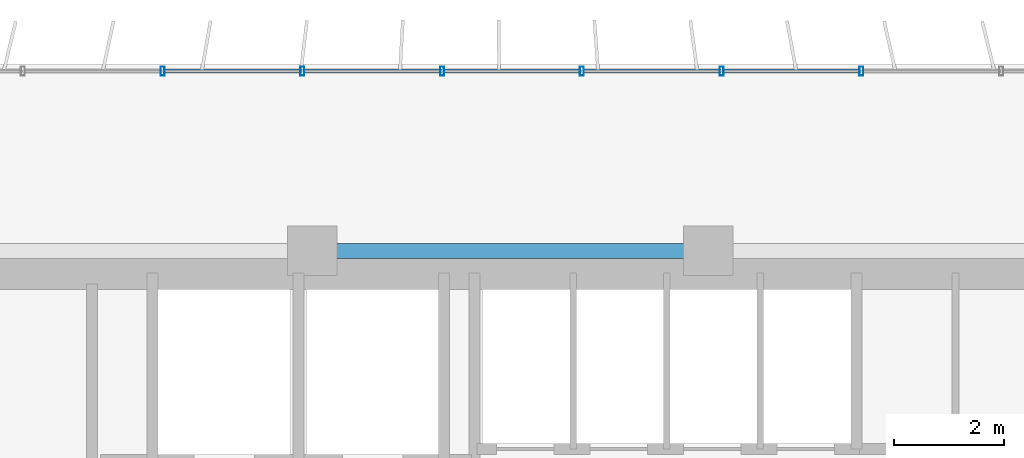
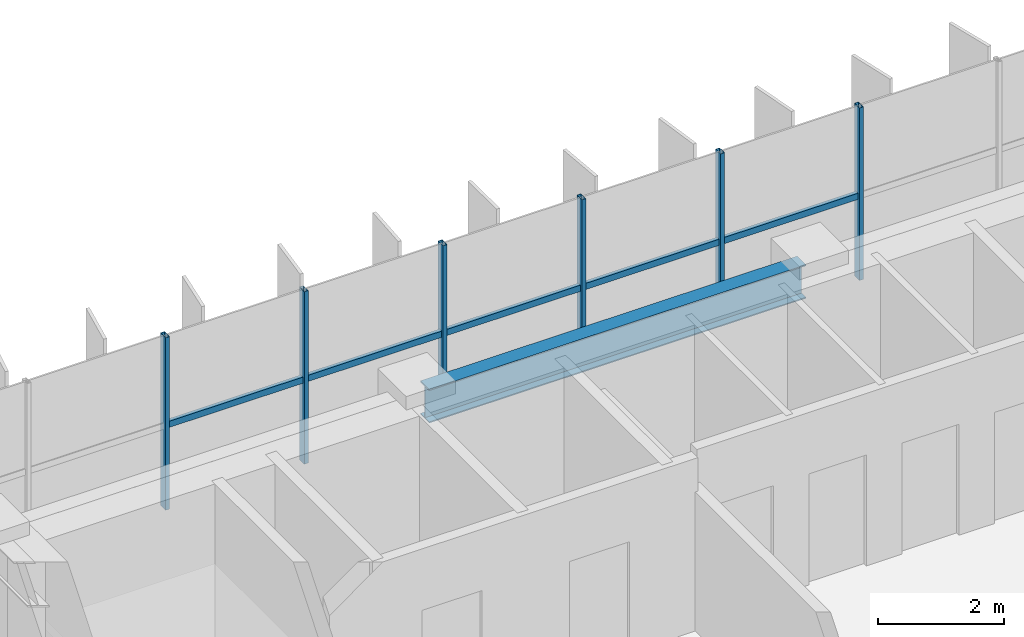
# One storey, part 7 of 22: 11 members, 1 beam, 1 element without a shape of its own.
"""IFC4 building model written with IfcOpenShell, lengths in metres."""

from ifc_helpers import new_model, si_unit, direction, frame, origin, origin_2d, place, context, subcontext, project, spatial, hollow_rectangle, i_section, extrude, source, transform, mapped, material, material_profile, profile_set, type_object, element, aggregate, save


model = new_model("IFC4")

# Units and contexts
model_context = context("Model", 3, precision=1e-05, world=origin(), true_north=direction((0.0, 1.0)))
body_context = subcontext(model_context, "Body", "Model", "MODEL_VIEW")
ifc_project = project(units=[si_unit("LENGTHUNIT", "METRE"), si_unit("AREAUNIT", "SQUARE_METRE"), si_unit("VOLUMEUNIT", "CUBIC_METRE"), si_unit("PLANEANGLEUNIT", "RADIAN"), si_unit("MASSUNIT", "GRAM", prefix="KILO")], contexts=[model_context])

# Site, building, storey
site_placement = place(None, origin())
site = spatial("IfcSite", under=ifc_project, at=site_placement, CompositionType="ELEMENT")
building_placement = place(site_placement, origin())
building = spatial("IfcBuilding", under=site, at=building_placement, Name="Trelvane Seafront Commons", CompositionType="ELEMENT")
storey_placement = place(building_placement, frame((0.0, 0.0, 48.699951171875)))
storey = spatial("IfcBuildingStorey", under=building, at=storey_placement, Name="L12", CompositionType="ELEMENT", Elevation=48.699951171875)

# Beam
ifc_material_1 = material(Name="Steel SM355 (S355)", Category="steel")
ifc_material_profile_1 = material_profile(ifc_material_1, i_section(OverallWidth=0.280029296875, OverallDepth=0.64990234375, WebThickness=0.012939453125, FlangeThickness=0.02197265625, at=origin_2d()), Name="H-650x280x13x22")
ifc_profile_set_1 = profile_set([ifc_material_profile_1], Name="Steel SM355 (S355)")
beam_type = type_object("IfcBeamType", Name="STR-BM-H650", PredefinedType="BEAM", material=ifc_profile_set_1)
shared_shape_1 = source(origin(), body_context, "Body", "SweptSolid", [
    extrude(i_section(OverallWidth=0.280029296875, OverallDepth=0.64990234375, WebThickness=0.012939453125, FlangeThickness=0.02197265625, at=origin_2d()), origin(), (0.0, 0.0, 1.0), 6.89990234375),
])
beam_placement = place(storey_placement, frame((23.550048828125, 45.10009765625, 3.01513671875), z_axis=(1.0, 0.0, 0.0), x_axis=(0.0, 1.0, 0.0)))
element("IfcBeam", 1, at=beam_placement, inside=storey, type_object=beam_type, Name="L12 Primary Girder G-31", PredefinedType="BEAM", context=body_context, shape_type="MappedRepresentation", body=[
    mapped(shared_shape_1, transform((0.0, 0.0, 0.0), x_axis=(1.0, 0.0, 0.0), y_axis=(0.0, 1.0, 0.0), z_axis=(0.0, 0.0, 1.0), scale=1.0)),
])

# Curtain wall, members
ifc_material_2 = material(Name="Anodised pale-silver aluminium", Category="aluminium")
curtain_wall_type = type_object("IfcCurtainWallType", Name="ARCH-CW2-LOWTOWER", PredefinedType="NOTDEFINED", material=ifc_material_2)
curtain_wall_placement = place(storey_placement, origin())
curtain_wall = element("IfcCurtainWall", 2, at=curtain_wall_placement, inside=storey, type_object=curtain_wall_type, Name="CW-L12-0036", PredefinedType="NOTDEFINED")
ifc_material_profile_2 = material_profile(ifc_material_2, hollow_rectangle(XDim=0.074951171875, YDim=0.159912109375, WallThickness=0.00390625, at=origin_2d()), Name="MULL-75x160x4")
ifc_profile_set_2 = profile_set([ifc_material_profile_2], Name="Anodised pale-silver aluminium")
member_type_1 = type_object("IfcMemberType", Name="ARCH-CW-MULL-160", PredefinedType="MULLION", material=ifc_profile_set_2)
shared_shape_2 = source(origin(), body_context, "Body", "SweptSolid", [
    extrude(hollow_rectangle(XDim=0.074951171875, YDim=0.159912109375, WallThickness=0.00390625, at=origin_2d()), origin(), (0.0, 0.0, 1.0), 3.340087890625),
])
member_1_placement = place(storey_placement, frame((20.682373046875, 48.3701171875, 0.0), z_axis=(0.0, 0.0, 1.0), x_axis=(1.0, 0.0, 0.0)))
member_1 = element("IfcMember", 3, at=member_1_placement, type_object=member_type_1, Name="CW-L12-0036-M02", PredefinedType="MULLION", context=body_context, shape_type="MappedRepresentation", body=[
    mapped(shared_shape_2, transform((0.0, 0.0, 0.0), x_axis=(1.0, 0.0, 0.0), y_axis=(0.0, 1.0, 0.0), z_axis=(0.0, 0.0, 1.0), scale=1.0)),
])
member_2_placement = place(storey_placement, frame((23.223388671875, 48.3701171875, 0.0), z_axis=(0.0, 0.0, 1.0), x_axis=(1.0, 0.0, 0.0)))
member_2 = element("IfcMember", 4, at=member_2_placement, type_object=member_type_1, Name="CW-L12-0036-M03", PredefinedType="MULLION", context=body_context, shape_type="MappedRepresentation", body=[
    mapped(shared_shape_2, transform((0.0, 0.0, 0.0), x_axis=(1.0, 0.0, 0.0), y_axis=(0.0, 1.0, 0.0), z_axis=(0.0, 0.0, 1.0), scale=1.0)),
])
member_3_placement = place(storey_placement, frame((25.7646484375, 48.3701171875, 0.0), z_axis=(0.0, 0.0, 1.0), x_axis=(1.0, 0.0, 0.0)))
member_3 = element("IfcMember", 5, at=member_3_placement, type_object=member_type_1, Name="CW-L12-0036-M04", PredefinedType="MULLION", context=body_context, shape_type="MappedRepresentation", body=[
    mapped(shared_shape_2, transform((0.0, 0.0, 0.0), x_axis=(1.0, 0.0, 0.0), y_axis=(0.0, 1.0, 0.0), z_axis=(0.0, 0.0, 1.0), scale=1.0)),
])
member_4_placement = place(storey_placement, frame((28.305908203125, 48.3701171875, 0.0), z_axis=(0.0, 0.0, 1.0), x_axis=(1.0, 0.0, 0.0)))
member_4 = element("IfcMember", 6, at=member_4_placement, type_object=member_type_1, Name="CW-L12-0036-M05", PredefinedType="MULLION", context=body_context, shape_type="MappedRepresentation", body=[
    mapped(shared_shape_2, transform((0.0, 0.0, 0.0), x_axis=(1.0, 0.0, 0.0), y_axis=(0.0, 1.0, 0.0), z_axis=(0.0, 0.0, 1.0), scale=1.0)),
])
member_5_placement = place(storey_placement, frame((30.84716796875, 48.3701171875, 0.0), z_axis=(0.0, 0.0, 1.0), x_axis=(1.0, 0.0, 0.0)))
member_5 = element("IfcMember", 7, at=member_5_placement, type_object=member_type_1, Name="CW-L12-0036-M06", PredefinedType="MULLION", context=body_context, shape_type="MappedRepresentation", body=[
    mapped(shared_shape_2, transform((0.0, 0.0, 0.0), x_axis=(1.0, 0.0, 0.0), y_axis=(0.0, 1.0, 0.0), z_axis=(0.0, 0.0, 1.0), scale=1.0)),
])
member_6_placement = place(storey_placement, frame((33.38818359375, 48.3701171875, 0.0), z_axis=(0.0, 0.0, 1.0), x_axis=(1.0, 0.0, 0.0)))
member_6 = element("IfcMember", 8, at=member_6_placement, type_object=member_type_1, Name="CW-L12-0036-M07", PredefinedType="MULLION", context=body_context, shape_type="MappedRepresentation", body=[
    mapped(shared_shape_2, transform((0.0, 0.0, 0.0), x_axis=(1.0, 0.0, 0.0), y_axis=(0.0, 1.0, 0.0), z_axis=(0.0, 0.0, 1.0), scale=1.0)),
])
ifc_material_profile_3 = material_profile(ifc_material_2, hollow_rectangle(XDim=0.070068359375, YDim=0.1201171875, WallThickness=0.00390625, at=origin_2d()), Name="TRAN-70x120x4")
ifc_profile_set_3 = profile_set([ifc_material_profile_3], Name="Anodised pale-silver aluminium")
member_type_2 = type_object("IfcMemberType", Name="ARCH-CW-TRAN-120", PredefinedType="USERDEFINED", material=ifc_profile_set_3)
shared_shape_3 = source(origin(), body_context, "Body", "SweptSolid", [
    extrude(hollow_rectangle(XDim=0.070068359375, YDim=0.1201171875, WallThickness=0.00390625, at=origin_2d()), origin(), (0.0, 0.0, 1.0), 2.51708984375),
])
member_7_placement = place(storey_placement, frame((20.6943359375, 48.3701171875, 1.60302734375), z_axis=(1.0, 0.0, 0.0), x_axis=(0.0, 1.0, 0.0)))
member_7 = element("IfcMember", 9, at=member_7_placement, type_object=member_type_2, Name="CW-L12-0036-T02", ObjectType="TRANSOM", PredefinedType="USERDEFINED", context=body_context, shape_type="MappedRepresentation", body=[
    mapped(shared_shape_3, transform((0.0, 0.0, 0.0), x_axis=(1.0, 0.0, 0.0), y_axis=(0.0, 1.0, 0.0), z_axis=(0.0, 0.0, 1.0), scale=1.0)),
])
member_8_placement = place(storey_placement, frame((23.235595703125, 48.3701171875, 1.60302734375), z_axis=(1.0, 0.0, 0.0), x_axis=(0.0, 1.0, 0.0)))
member_8 = element("IfcMember", 10, at=member_8_placement, type_object=member_type_2, Name="CW-L12-0036-T03", ObjectType="TRANSOM", PredefinedType="USERDEFINED", context=body_context, shape_type="MappedRepresentation", body=[
    mapped(shared_shape_3, transform((0.0, 0.0, 0.0), x_axis=(1.0, 0.0, 0.0), y_axis=(0.0, 1.0, 0.0), z_axis=(0.0, 0.0, 1.0), scale=1.0)),
])
member_9_placement = place(storey_placement, frame((30.859130859375, 48.3701171875, 1.60302734375), z_axis=(1.0, 0.0, 0.0), x_axis=(0.0, 1.0, 0.0)))
member_9 = element("IfcMember", 11, at=member_9_placement, type_object=member_type_2, Name="CW-L12-0036-T06", ObjectType="TRANSOM", PredefinedType="USERDEFINED", context=body_context, shape_type="MappedRepresentation", body=[
    mapped(shared_shape_3, transform((0.0, 0.0, 0.0), x_axis=(1.0, 0.0, 0.0), y_axis=(0.0, 1.0, 0.0), z_axis=(0.0, 0.0, 1.0), scale=1.0)),
])
shared_shape_4 = source(origin(), body_context, "Body", "SweptSolid", [
    extrude(hollow_rectangle(XDim=0.070068359375, YDim=0.1201171875, WallThickness=0.00390625, at=origin_2d()), origin(), (0.0, 0.0, 1.0), 2.517333984375),
])
member_10_placement = place(storey_placement, frame((25.776611328125, 48.3701171875, 1.60302734375), z_axis=(1.0, 0.0, 0.0), x_axis=(0.0, 1.0, 0.0)))
member_10 = element("IfcMember", 12, at=member_10_placement, type_object=member_type_2, Name="CW-L12-0036-T04", ObjectType="TRANSOM", PredefinedType="USERDEFINED", context=body_context, shape_type="MappedRepresentation", body=[
    mapped(shared_shape_4, transform((0.0, 0.0, 0.0), x_axis=(1.0, 0.0, 0.0), y_axis=(0.0, 1.0, 0.0), z_axis=(0.0, 0.0, 1.0), scale=1.0)),
])
member_11_placement = place(storey_placement, frame((28.31787109375, 48.3701171875, 1.60302734375), z_axis=(1.0, 0.0, 0.0), x_axis=(0.0, 1.0, 0.0)))
member_11 = element("IfcMember", 13, at=member_11_placement, type_object=member_type_2, Name="CW-L12-0036-T05", ObjectType="TRANSOM", PredefinedType="USERDEFINED", context=body_context, shape_type="MappedRepresentation", body=[
    mapped(shared_shape_4, transform((0.0, 0.0, 0.0), x_axis=(1.0, 0.0, 0.0), y_axis=(0.0, 1.0, 0.0), z_axis=(0.0, 0.0, 1.0), scale=1.0)),
])
aggregate(curtain_wall, [member_1, member_2, member_3, member_4, member_5, member_6, member_7, member_8, member_10, member_11, member_9])

save(model, "model.ifc")
